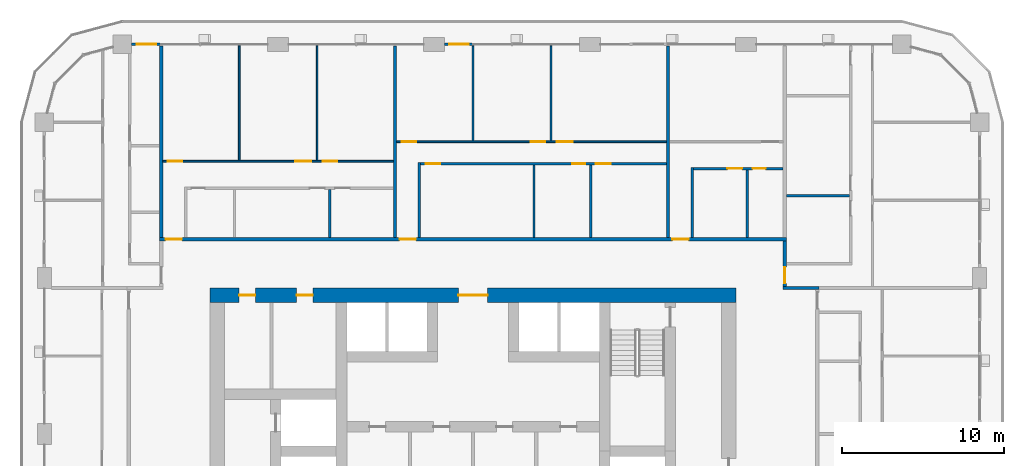
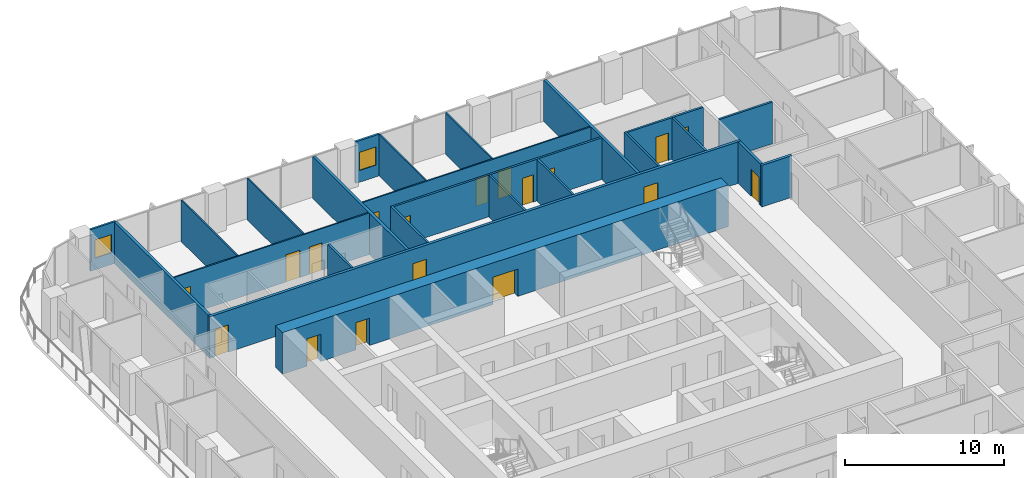
# One storey, part 14 of 21: 24 walls, 18 doors, 2 windows, 20 openings.
"""IFC4 building model written with IfcOpenShell, lengths in metres."""

from ifc_helpers import new_model, si_unit, direction, frame, frame_2d, origin, place, context, subcontext, project, spatial, rectangle, extrude, material, layer, layer_set, type_object, element, fill, save


model = new_model("IFC4")

# Units and contexts
model_context = context("Model", 3, precision=1e-05, world=origin(), true_north=direction((0.0, 1.0)))
body_context = subcontext(model_context, "Body", "Model", "MODEL_VIEW")
ifc_project = project(units=[si_unit("LENGTHUNIT", "METRE"), si_unit("AREAUNIT", "SQUARE_METRE"), si_unit("VOLUMEUNIT", "CUBIC_METRE"), si_unit("PLANEANGLEUNIT", "RADIAN"), si_unit("MASSUNIT", "GRAM", prefix="KILO")], contexts=[model_context])

# Site, building, storey
site_placement = place(None, origin())
site = spatial("IfcSite", under=ifc_project, at=site_placement, CompositionType="ELEMENT")
building_placement = place(site_placement, origin())
building = spatial("IfcBuilding", under=site, at=building_placement, Name="Madar Terraces", CompositionType="ELEMENT")
storey_placement = place(building_placement, frame((0.0, 0.0, 92.699951171875)))
storey = spatial("IfcBuildingStorey", under=building, at=storey_placement, Name="L23", CompositionType="ELEMENT", Elevation=92.699951171875)

# Wall, openings, doors
ifc_material_1 = material(Name="Concrete C80/95", Category="concrete")
ifc_layer_1 = layer(ifc_material_1, 0.89990234375)
ifc_layer_set_1 = layer_set([ifc_layer_1], Name="Concrete C80/95 (CRW2 RC wall 900)")
wall_type_1 = type_object("IfcWallType", Name="CRW2 RC wall 900", PredefinedType="SHEAR", material=ifc_layer_set_1)
wall_1_placement = place(storey_placement, frame((15.0, 37.35009765625, 0.0), z_axis=(0.0, 0.0, 1.0), x_axis=(1.0, 0.0, 0.0)))
wall_1 = element("IfcWall", 1, at=wall_1_placement, inside=storey, type_object=wall_type_1, Name="CORE OUTER WALL", PredefinedType="SHEAR", context=body_context, shape_type="SweptSolid", body=[
    extrude(rectangle(XDim=32.39990234375, YDim=0.89990234375, at=frame_2d((16.199951171875, 0.0))), origin(), (0.0, 0.0, 1.0), 3.199951171875),
])
opening_1_placement = place(wall_1_placement, frame((15.300048828125, 0.0, 0.0)))
opening_1 = element("IfcOpeningElement", 2, at=opening_1_placement, cuts=wall_1, Name="Opening KD1", PredefinedType="OPENING", context=body_context, shape_type="SweptSolid", body=[
    extrude(rectangle(XDim=1.800048828125, YDim=2.10009765625, at=frame_2d((0.89990234375, 1.050048828125))), frame((0.0, 0.4599609375, 0.0), z_axis=(0.0, -1.0, 0.0), x_axis=(1.0, 0.0, 0.0)), (0.0, 0.0, 1.0), 0.919921875),
])
opening_2_placement = place(wall_1_placement, frame((1.793701171875, 0.0, 0.0)))
opening_2 = element("IfcOpeningElement", 3, at=opening_2_placement, cuts=wall_1, Name="Opening KD2", PredefinedType="OPENING", context=body_context, shape_type="SweptSolid", body=[
    extrude(rectangle(XDim=1.0, YDim=2.10009765625, at=frame_2d((0.5, 1.050048828125))), frame((0.0, 0.4599609375, 0.0), z_axis=(0.0, -1.0, 0.0), x_axis=(1.0, 0.0, 0.0)), (0.0, 0.0, 1.0), 0.919921875),
])
opening_3_placement = place(wall_1_placement, frame((5.331298828125, 0.0, 0.0)))
opening_3 = element("IfcOpeningElement", 4, at=opening_3_placement, cuts=wall_1, Name="Opening KD2", PredefinedType="OPENING", context=body_context, shape_type="SweptSolid", body=[
    extrude(rectangle(XDim=1.0, YDim=2.10009765625, at=frame_2d((0.5, 1.050048828125))), frame((0.0, 0.4599609375, 0.0), z_axis=(0.0, -1.0, 0.0), x_axis=(1.0, 0.0, 0.0)), (0.0, 0.0, 1.0), 0.919921875),
])
ifc_material_2 = material(Name="Steel door leaf", Category="steel")
door_type_1 = type_object("IfcDoorType", Name="Lobby door pair 1800 x 2100", OperationType="DOUBLE_DOOR_SINGLE_SWING", PredefinedType="DOOR", material=ifc_material_2)
door_1_placement = place(opening_1_placement, origin())
door_1 = element("IfcDoor", 5, at=door_1_placement, inside=storey, type_object=door_type_1, Name="LIFT LOBBY DOOR", OperationType="DOUBLE_DOOR_SINGLE_SWING", OverallHeight=2.10009765625, OverallWidth=1.800048828125, PredefinedType="DOOR", context=body_context, shape_type="SweptSolid", body=[
    extrude(rectangle(XDim=1.800048828125, YDim=2.10009765625, at=frame_2d((0.89990234375, 1.050048828125))), frame((0.0, 0.02490234375, 0.0), z_axis=(0.0, -1.0, 0.0), x_axis=(1.0, 0.0, 0.0)), (0.0, 0.0, 1.0), 0.050048828125),
])
fill(opening_1, door_1)
ifc_material_3 = material(Name="Steel door leaf", Category="steel")
door_type_2 = type_object("IfcDoorType", Name="Service room door 1000 x 2100", OperationType="NOTDEFINED", PredefinedType="DOOR", material=ifc_material_3)
door_2_placement = place(opening_2_placement, origin())
door_2 = element("IfcDoor", 6, at=door_2_placement, inside=storey, type_object=door_type_2, Name="SERVICE ROOM DOOR", OperationType="SINGLE_SWING_RIGHT", OverallHeight=2.10009765625, OverallWidth=1.0, PredefinedType="DOOR", context=body_context, shape_type="SweptSolid", body=[
    extrude(rectangle(XDim=1.0, YDim=2.10009765625, at=frame_2d((0.5, 1.050048828125))), frame((0.0, 0.02490234375, 0.0), z_axis=(0.0, -1.0, 0.0), x_axis=(1.0, 0.0, 0.0)), (0.0, 0.0, 1.0), 0.050048828125),
])
fill(opening_2, door_2)
door_3_placement = place(opening_3_placement, origin())
door_3 = element("IfcDoor", 7, at=door_3_placement, inside=storey, type_object=door_type_2, Name="SERVICE ROOM DOOR", OperationType="SINGLE_SWING_LEFT", OverallHeight=2.10009765625, OverallWidth=1.0, PredefinedType="DOOR", context=body_context, shape_type="SweptSolid", body=[
    extrude(rectangle(XDim=1.0, YDim=2.10009765625, at=frame_2d((0.5, 1.050048828125))), frame((0.0, 0.02490234375, 0.0), z_axis=(0.0, -1.0, 0.0), x_axis=(1.0, 0.0, 0.0)), (0.0, 0.0, 1.0), 0.050048828125),
])
fill(opening_3, door_3)

# Wall, opening, window
ifc_material_4 = material(Name="Aluminium composite panel, black, over insulated backing", Category="aluminium")
ifc_layer_2 = layer(ifc_material_4, 0.14990234375)
ifc_layer_set_2 = layer_set([ifc_layer_2], Name="Facade bay panel 150")
wall_type_2 = type_object("IfcWallType", Name="Facade bay panel 150", PredefinedType="SOLIDWALL", material=ifc_layer_set_2)
wall_2_placement = place(storey_placement, frame((31.199951171875, 52.800048828125, 0.0), z_axis=(0.0, 0.0, 1.0), x_axis=(-1.0, 0.0, 0.0)))
wall_2 = element("IfcWall", 8, at=wall_2_placement, inside=storey, type_object=wall_type_2, Name="Facade bay panel", PredefinedType="SOLIDWALL", context=body_context, shape_type="SweptSolid", body=[
    extrude(rectangle(XDim=1.75, YDim=0.14990234375, at=frame_2d((0.875, 0.0))), origin(), (0.0, 0.0, 1.0), 3.199951171875),
])
opening_4_placement = place(wall_2_placement, frame((0.27490234375, 0.0, 0.89990234375)))
opening_4 = element("IfcOpeningElement", 9, at=opening_4_placement, cuts=wall_2, Name="Opening W1", PredefinedType="OPENING", context=body_context, shape_type="SweptSolid", body=[
    extrude(rectangle(XDim=1.199951171875, YDim=1.39990234375, at=frame_2d((0.60009765625, 0.699951171875))), frame((0.0, 0.0849609375, 0.0), z_axis=(0.0, -1.0, 0.0), x_axis=(1.0, 0.0, 0.0)), (0.0, 0.0, 1.0), 0.169921875),
])
ifc_material_5 = material(Name="Glass, clear, with black aluminium frame", Category="aluminium")
window_type = type_object("IfcWindowType", Name="Vent window 1200 x 1400", PartitioningType="SINGLE_PANEL", PredefinedType="WINDOW", material=ifc_material_5)
window_1_placement = place(opening_4_placement, origin())
window_1 = element("IfcWindow", 10, at=window_1_placement, inside=storey, type_object=window_type, Name="Operable vent window", OverallHeight=1.39990234375, OverallWidth=1.199951171875, PartitioningType="SINGLE_PANEL", PredefinedType="WINDOW", context=body_context, shape_type="SweptSolid", body=[
    extrude(rectangle(XDim=1.199951171875, YDim=1.39990234375, at=frame_2d((0.60009765625, 0.699951171875))), frame((0.0, 0.030029296875, 0.0), z_axis=(0.0, -1.0, 0.0), x_axis=(1.0, 0.0, 0.0)), (0.0, 0.0, 1.0), 0.06005859375),
])
fill(opening_4, window_1)

wall_3_placement = place(storey_placement, frame((12.0, 52.800048828125, 0.0), z_axis=(0.0, 0.0, 1.0), x_axis=(-1.0, 0.0, 0.0)))
wall_3 = element("IfcWall", 11, at=wall_3_placement, inside=storey, type_object=wall_type_2, Name="Facade bay panel", PredefinedType="SOLIDWALL", context=body_context, shape_type="SweptSolid", body=[
    extrude(rectangle(XDim=1.824951171875, YDim=0.14990234375, at=frame_2d((0.91259765625, 0.0))), origin(), (0.0, 0.0, 1.0), 3.199951171875),
])
opening_5_placement = place(wall_3_placement, frame((0.3125, 0.0, 0.89990234375)))
opening_5 = element("IfcOpeningElement", 12, at=opening_5_placement, cuts=wall_3, Name="Opening W1", PredefinedType="OPENING", context=body_context, shape_type="SweptSolid", body=[
    extrude(rectangle(XDim=1.199951171875, YDim=1.39990234375, at=frame_2d((0.60009765625, 0.699951171875))), frame((0.0, 0.0849609375, 0.0), z_axis=(0.0, -1.0, 0.0), x_axis=(1.0, 0.0, 0.0)), (0.0, 0.0, 1.0), 0.169921875),
])
window_2_placement = place(opening_5_placement, origin())
window_2 = element("IfcWindow", 13, at=window_2_placement, inside=storey, type_object=window_type, Name="Operable vent window", OverallHeight=1.39990234375, OverallWidth=1.199951171875, PartitioningType="SINGLE_PANEL", PredefinedType="WINDOW", context=body_context, shape_type="SweptSolid", body=[
    extrude(rectangle(XDim=1.199951171875, YDim=1.39990234375, at=frame_2d((0.60009765625, 0.699951171875))), frame((0.0, 0.030029296875, 0.0), z_axis=(0.0, -1.0, 0.0), x_axis=(1.0, 0.0, 0.0)), (0.0, 0.0, 1.0), 0.06005859375),
])
fill(opening_5, window_2)

# Walls
ifc_material_6 = material(Name="Gypsum board on steel studs", Category="steel")
ifc_layer_3 = layer(ifc_material_6, 0.10009765625)
ifc_layer_set_3 = layer_set([ifc_layer_3], Name="Flat partition 100")
wall_type_3 = type_object("IfcWallType", Name="Flat partition 100", PredefinedType="PARTITIONING", material=ifc_layer_set_3)
for number, where, z_axis, x_axis, name in (
    (14, (31.199951171875, 46.85009765625, 0.0), (0.0, 0.0, 1.0), (0.0, 1.0, 0.0), "Flat partition 100"),
    (15, (36.0, 46.85009765625, 0.0), (0.0, 0.0, 1.0), (0.0, 1.0, 0.0), "Flat partition 100"),
):
    element("IfcWall", number, at=place(storey_placement, frame(where, z_axis=z_axis, x_axis=x_axis)), inside=storey, type_object=wall_type_3, Name=name, PredefinedType="PARTITIONING", context=body_context, shape_type="SweptSolid", body=[
        extrude(rectangle(XDim=5.849853515625, YDim=0.10009765625, at=frame_2d((2.9248046875, 0.0))), origin(), (0.0, 0.0, 1.0), 3.199951171875),
    ])

# Wall, openings, doors
wall_4_placement = place(storey_placement, frame((26.5, 46.800048828125, 0.0), z_axis=(0.0, 0.0, 1.0), x_axis=(1.0, 0.0, 0.0)))
wall_4 = element("IfcWall", 16, at=wall_4_placement, inside=storey, type_object=wall_type_3, Name="Flat partition 100", PredefinedType="PARTITIONING", context=body_context, shape_type="SweptSolid", body=[
    extrude(rectangle(XDim=16.60009765625, YDim=0.10009765625, at=frame_2d((8.300048828125, 0.0))), origin(), (0.0, 0.0, 1.0), 3.199951171875),
])
opening_6_placement = place(wall_4_placement, frame((0.300048828125, 0.0, 0.0)))
opening_6 = element("IfcOpeningElement", 17, at=opening_6_placement, cuts=wall_4, Name="Opening D2", PredefinedType="OPENING", context=body_context, shape_type="SweptSolid", body=[
    extrude(rectangle(XDim=0.89990234375, YDim=2.10009765625, at=frame_2d((0.449951171875, 1.050048828125))), frame((0.0, 0.06005859375, 0.0), z_axis=(0.0, -1.0, 0.0), x_axis=(1.0, 0.0, 0.0)), (0.0, 0.0, 1.0), 0.1201171875),
])
opening_7_placement = place(wall_4_placement, frame((8.25, 0.0, 0.0)))
opening_7 = element("IfcOpeningElement", 18, at=opening_7_placement, cuts=wall_4, Name="Opening D2", PredefinedType="OPENING", context=body_context, shape_type="SweptSolid", body=[
    extrude(rectangle(XDim=0.89990234375, YDim=2.10009765625, at=frame_2d((0.449951171875, 1.050048828125))), frame((0.0, 0.06005859375, 0.0), z_axis=(0.0, -1.0, 0.0), x_axis=(1.0, 0.0, 0.0)), (0.0, 0.0, 1.0), 0.1201171875),
])
opening_8_placement = place(wall_4_placement, frame((9.85009765625, 0.0, 0.0)))
opening_8 = element("IfcOpeningElement", 19, at=opening_8_placement, cuts=wall_4, Name="Opening D3", PredefinedType="OPENING", context=body_context, shape_type="SweptSolid", body=[
    extrude(rectangle(XDim=1.0, YDim=2.10009765625, at=frame_2d((0.5, 1.050048828125))), frame((0.0, 0.06005859375, 0.0), z_axis=(0.0, -1.0, 0.0), x_axis=(1.0, 0.0, 0.0)), (0.0, 0.0, 1.0), 0.1201171875),
])
ifc_material_7 = material(Name="Timber door leaf", Category="wood")
door_type_3 = type_object("IfcDoorType", Name="Flat living room door 1000", OperationType="NOTDEFINED", PredefinedType="DOOR", material=ifc_material_7)
door_4_placement = place(opening_8_placement, origin())
door_4 = element("IfcDoor", 20, at=door_4_placement, inside=storey, type_object=door_type_3, Name="Flat living room door 1000", OperationType="SINGLE_SWING_LEFT", OverallHeight=2.10009765625, OverallWidth=1.0, PredefinedType="DOOR", context=body_context, shape_type="SweptSolid", body=[
    extrude(rectangle(XDim=1.0, YDim=2.10009765625, at=frame_2d((0.5, 1.050048828125))), frame((0.0, 0.02490234375, 0.0), z_axis=(0.0, -1.0, 0.0), x_axis=(1.0, 0.0, 0.0)), (0.0, 0.0, 1.0), 0.050048828125),
])
fill(opening_8, door_4)
ifc_material_8 = material(Name="Timber door leaf", Category="wood")
door_type_4 = type_object("IfcDoorType", Name="Flat room door 900", OperationType="NOTDEFINED", PredefinedType="DOOR", material=ifc_material_8)
door_5_placement = place(opening_6_placement, origin())
door_5 = element("IfcDoor", 21, at=door_5_placement, inside=storey, type_object=door_type_4, Name="Flat room door 900", OperationType="SINGLE_SWING_LEFT", OverallHeight=2.10009765625, OverallWidth=0.89990234375, PredefinedType="DOOR", context=body_context, shape_type="SweptSolid", body=[
    extrude(rectangle(XDim=0.89990234375, YDim=2.10009765625, at=frame_2d((0.449951171875, 1.050048828125))), frame((0.0, 0.02490234375, 0.0), z_axis=(0.0, -1.0, 0.0), x_axis=(1.0, 0.0, 0.0)), (0.0, 0.0, 1.0), 0.050048828125),
])
fill(opening_6, door_5)
door_6_placement = place(opening_7_placement, origin())
door_6 = element("IfcDoor", 22, at=door_6_placement, inside=storey, type_object=door_type_4, Name="Flat room door 900", OperationType="SINGLE_SWING_RIGHT", OverallHeight=2.10009765625, OverallWidth=0.89990234375, PredefinedType="DOOR", context=body_context, shape_type="SweptSolid", body=[
    extrude(rectangle(XDim=0.89990234375, YDim=2.10009765625, at=frame_2d((0.449951171875, 1.050048828125))), frame((0.0, 0.02490234375, 0.0), z_axis=(0.0, -1.0, 0.0), x_axis=(1.0, 0.0, 0.0)), (0.0, 0.0, 1.0), 0.050048828125),
])
fill(opening_7, door_6)

# Walls
for number, where, z_axis, x_axis, name in (
    (23, (16.800048828125, 45.64990234375, 0.0), (0.0, 0.0, 1.0), (0.0, 1.0, 0.0), "Flat partition 100"),
    (24, (21.60009765625, 45.64990234375, 0.0), (0.0, 0.0, 1.0), (0.0, 1.0, 0.0), "Flat partition 100"),
):
    element("IfcWall", number, at=place(storey_placement, frame(where, z_axis=z_axis, x_axis=x_axis)), inside=storey, type_object=wall_type_3, Name=name, PredefinedType="PARTITIONING", context=body_context, shape_type="SweptSolid", body=[
        extrude(rectangle(XDim=7.050048828125, YDim=0.10009765625, at=frame_2d((3.52490234375, 0.0))), origin(), (0.0, 0.0, 1.0), 3.199951171875),
    ])

# Wall, openings, doors
wall_5_placement = place(storey_placement, frame((12.10009765625, 45.60009765625, 0.0), z_axis=(0.0, 0.0, 1.0), x_axis=(1.0, 0.0, 0.0)))
wall_5 = element("IfcWall", 25, at=wall_5_placement, inside=storey, type_object=wall_type_3, Name="Flat partition 100", PredefinedType="PARTITIONING", context=body_context, shape_type="SweptSolid", body=[
    extrude(rectangle(XDim=14.199951171875, YDim=0.10009765625, at=frame_2d((7.10009765625, 0.0))), origin(), (0.0, 0.0, 1.0), 3.199951171875),
])
opening_9_placement = place(wall_5_placement, frame((0.300048828125, 0.0, 0.0)))
opening_9 = element("IfcOpeningElement", 26, at=opening_9_placement, cuts=wall_5, Name="Opening D2", PredefinedType="OPENING", context=body_context, shape_type="SweptSolid", body=[
    extrude(rectangle(XDim=0.89990234375, YDim=2.10009765625, at=frame_2d((0.449951171875, 1.050048828125))), frame((0.0, 0.06005859375, 0.0), z_axis=(0.0, -1.0, 0.0), x_axis=(1.0, 0.0, 0.0)), (0.0, 0.0, 1.0), 0.1201171875),
])
opening_10_placement = place(wall_5_placement, frame((8.14990234375, 0.0, 0.0)))
opening_10 = element("IfcOpeningElement", 27, at=opening_10_placement, cuts=wall_5, Name="Opening D3", PredefinedType="OPENING", context=body_context, shape_type="SweptSolid", body=[
    extrude(rectangle(XDim=1.0, YDim=2.10009765625, at=frame_2d((0.5, 1.050048828125))), frame((0.0, 0.06005859375, 0.0), z_axis=(0.0, -1.0, 0.0), x_axis=(1.0, 0.0, 0.0)), (0.0, 0.0, 1.0), 0.1201171875),
])
opening_11_placement = place(wall_5_placement, frame((9.85009765625, 0.0, 0.0)))
opening_11 = element("IfcOpeningElement", 28, at=opening_11_placement, cuts=wall_5, Name="Opening D2", PredefinedType="OPENING", context=body_context, shape_type="SweptSolid", body=[
    extrude(rectangle(XDim=0.89990234375, YDim=2.10009765625, at=frame_2d((0.449951171875, 1.050048828125))), frame((0.0, 0.06005859375, 0.0), z_axis=(0.0, -1.0, 0.0), x_axis=(1.0, 0.0, 0.0)), (0.0, 0.0, 1.0), 0.1201171875),
])
door_7_placement = place(opening_10_placement, origin())
door_7 = element("IfcDoor", 29, at=door_7_placement, inside=storey, type_object=door_type_3, Name="Flat living room door 1000", OperationType="SINGLE_SWING_RIGHT", OverallHeight=2.10009765625, OverallWidth=1.0, PredefinedType="DOOR", context=body_context, shape_type="SweptSolid", body=[
    extrude(rectangle(XDim=1.0, YDim=2.10009765625, at=frame_2d((0.5, 1.050048828125))), frame((0.0, 0.02490234375, 0.0), z_axis=(0.0, -1.0, 0.0), x_axis=(1.0, 0.0, 0.0)), (0.0, 0.0, 1.0), 0.050048828125),
])
fill(opening_10, door_7)
door_8_placement = place(opening_9_placement, origin())
door_8 = element("IfcDoor", 30, at=door_8_placement, inside=storey, type_object=door_type_4, Name="Flat room door 900", OperationType="SINGLE_SWING_LEFT", OverallHeight=2.10009765625, OverallWidth=0.89990234375, PredefinedType="DOOR", context=body_context, shape_type="SweptSolid", body=[
    extrude(rectangle(XDim=0.89990234375, YDim=2.10009765625, at=frame_2d((0.449951171875, 1.050048828125))), frame((0.0, 0.02490234375, 0.0), z_axis=(0.0, -1.0, 0.0), x_axis=(1.0, 0.0, 0.0)), (0.0, 0.0, 1.0), 0.050048828125),
])
fill(opening_9, door_8)
door_9_placement = place(opening_11_placement, origin())
door_9 = element("IfcDoor", 31, at=door_9_placement, inside=storey, type_object=door_type_4, Name="Flat room door 900", OperationType="SINGLE_SWING_LEFT", OverallHeight=2.10009765625, OverallWidth=0.89990234375, PredefinedType="DOOR", context=body_context, shape_type="SweptSolid", body=[
    extrude(rectangle(XDim=0.89990234375, YDim=2.10009765625, at=frame_2d((0.449951171875, 1.050048828125))), frame((0.0, 0.02490234375, 0.0), z_axis=(0.0, -1.0, 0.0), x_axis=(1.0, 0.0, 0.0)), (0.0, 0.0, 1.0), 0.050048828125),
])
fill(opening_11, door_9)

# Wall
ifc_material_9 = material(Name="Lightweight blockwork", Category="masonry")
ifc_layer_4 = layer(ifc_material_9, 0.199951171875)
ifc_layer_set_4 = layer_set([ifc_layer_4], Name="Flat party and entrance wall 200")
wall_type_4 = type_object("IfcWallType", Name="Flat party and entrance wall 200", PredefinedType="PARTITIONING", material=ifc_layer_set_4)
wall_6_placement = place(storey_placement, frame((52.5, 37.800048828125, 0.0), z_axis=(0.0, 0.0, 1.0), x_axis=(-1.0, 0.0, 0.0)))
element("IfcWall", 32, at=wall_6_placement, inside=storey, type_object=wall_type_4, Name="Flat party and entrance wall 200", PredefinedType="PARTITIONING", context=body_context, shape_type="SweptSolid", body=[
    extrude(rectangle(XDim=2.199951171875, YDim=0.199951171875, at=frame_2d((1.10009765625, 0.0))), origin(), (0.0, 0.0, 1.0), 3.199951171875),
])

# Wall, opening, door
wall_7_placement = place(storey_placement, frame((50.39990234375, 40.699951171875, 0.0), z_axis=(0.0, 0.0, 1.0), x_axis=(0.0, -1.0, 0.0)))
wall_7 = element("IfcWall", 33, at=wall_7_placement, inside=storey, type_object=wall_type_4, Name="Flat party and entrance wall 200", PredefinedType="PARTITIONING", context=body_context, shape_type="SweptSolid", body=[
    extrude(rectangle(XDim=2.800048828125, YDim=0.199951171875, at=frame_2d((1.39990234375, 0.0))), origin(), (0.0, 0.0, 1.0), 3.199951171875),
])
opening_12_placement = place(wall_7_placement, frame((1.625, 0.0, 0.0)))
opening_12 = element("IfcOpeningElement", 34, at=opening_12_placement, cuts=wall_7, Name="Opening D1", PredefinedType="OPENING", context=body_context, shape_type="SweptSolid", body=[
    extrude(rectangle(XDim=1.0, YDim=2.10009765625, at=frame_2d((0.5, 1.050048828125))), frame((0.0, 0.10986328125, 0.0), z_axis=(0.0, -1.0, 0.0), x_axis=(1.0, 0.0, 0.0)), (0.0, 0.0, 1.0), 0.219970703125),
])
ifc_material_10 = material(Name="Timber fire door leaf", Category="wood")
door_type_5 = type_object("IfcDoorType", Name="Flat entrance door 1000 FD30S", OperationType="NOTDEFINED", PredefinedType="DOOR", material=ifc_material_10)
door_10_placement = place(opening_12_placement, origin())
door_10 = element("IfcDoor", 35, at=door_10_placement, inside=storey, type_object=door_type_5, Name="Flat entrance door 1000 FD30S", OperationType="SINGLE_SWING_RIGHT", OverallHeight=2.10009765625, OverallWidth=1.0, PredefinedType="DOOR", context=body_context, shape_type="SweptSolid", body=[
    extrude(rectangle(XDim=1.0, YDim=2.10009765625, at=frame_2d((0.5, 1.050048828125))), frame((0.0, 0.02490234375, 0.0), z_axis=(0.0, -1.0, 0.0), x_axis=(1.0, 0.0, 0.0)), (0.0, 0.0, 1.0), 0.050048828125),
])
fill(opening_12, door_10)

# Wall, openings, doors
wall_8_placement = place(storey_placement, frame((11.89990234375, 40.800048828125, 0.0), z_axis=(0.0, 0.0, 1.0), x_axis=(1.0, 0.0, 0.0)))
wall_8 = element("IfcWall", 36, at=wall_8_placement, inside=storey, type_object=wall_type_4, Name="Flat party and entrance wall 200", PredefinedType="PARTITIONING", context=body_context, shape_type="SweptSolid", body=[
    extrude(rectangle(XDim=38.60009765625, YDim=0.199951171875, at=frame_2d((19.300048828125, 0.0))), origin(), (0.0, 0.0, 1.0), 3.199951171875),
])
opening_13_placement = place(wall_8_placement, frame((31.574951171875, 0.0, 0.0)))
opening_13 = element("IfcOpeningElement", 37, at=opening_13_placement, cuts=wall_8, Name="Opening D1", PredefinedType="OPENING", context=body_context, shape_type="SweptSolid", body=[
    extrude(rectangle(XDim=1.0, YDim=2.10009765625, at=frame_2d((0.5, 1.050048828125))), frame((0.0, 0.10986328125, 0.0), z_axis=(0.0, -1.0, 0.0), x_axis=(1.0, 0.0, 0.0)), (0.0, 0.0, 1.0), 0.219970703125),
])
opening_14_placement = place(wall_8_placement, frame((14.77490234375, 0.0, 0.0)))
opening_14 = element("IfcOpeningElement", 38, at=opening_14_placement, cuts=wall_8, Name="Opening D1", PredefinedType="OPENING", context=body_context, shape_type="SweptSolid", body=[
    extrude(rectangle(XDim=1.0, YDim=2.10009765625, at=frame_2d((0.5, 1.050048828125))), frame((0.0, 0.10986328125, 0.0), z_axis=(0.0, -1.0, 0.0), x_axis=(1.0, 0.0, 0.0)), (0.0, 0.0, 1.0), 0.219970703125),
])
opening_15_placement = place(wall_8_placement, frame((0.375, 0.0, 0.0)))
opening_15 = element("IfcOpeningElement", 39, at=opening_15_placement, cuts=wall_8, Name="Opening D1", PredefinedType="OPENING", context=body_context, shape_type="SweptSolid", body=[
    extrude(rectangle(XDim=1.0, YDim=2.10009765625, at=frame_2d((0.5, 1.050048828125))), frame((0.0, 0.10986328125, 0.0), z_axis=(0.0, -1.0, 0.0), x_axis=(1.0, 0.0, 0.0)), (0.0, 0.0, 1.0), 0.219970703125),
])
door_11_placement = place(opening_13_placement, origin())
door_11 = element("IfcDoor", 40, at=door_11_placement, inside=storey, type_object=door_type_5, Name="Flat entrance door 1000 FD30S", OperationType="SINGLE_SWING_LEFT", OverallHeight=2.10009765625, OverallWidth=1.0, PredefinedType="DOOR", context=body_context, shape_type="SweptSolid", body=[
    extrude(rectangle(XDim=1.0, YDim=2.10009765625, at=frame_2d((0.5, 1.050048828125))), frame((0.0, 0.02490234375, 0.0), z_axis=(0.0, -1.0, 0.0), x_axis=(1.0, 0.0, 0.0)), (0.0, 0.0, 1.0), 0.050048828125),
])
fill(opening_13, door_11)
door_12_placement = place(opening_14_placement, origin())
door_12 = element("IfcDoor", 41, at=door_12_placement, inside=storey, type_object=door_type_5, Name="Flat entrance door 1000 FD30S", OperationType="SINGLE_SWING_LEFT", OverallHeight=2.10009765625, OverallWidth=1.0, PredefinedType="DOOR", context=body_context, shape_type="SweptSolid", body=[
    extrude(rectangle(XDim=1.0, YDim=2.10009765625, at=frame_2d((0.5, 1.050048828125))), frame((0.0, 0.02490234375, 0.0), z_axis=(0.0, -1.0, 0.0), x_axis=(1.0, 0.0, 0.0)), (0.0, 0.0, 1.0), 0.050048828125),
])
fill(opening_14, door_12)
door_13_placement = place(opening_15_placement, origin())
door_13 = element("IfcDoor", 42, at=door_13_placement, inside=storey, type_object=door_type_5, Name="Flat entrance door 1000 FD30S", OperationType="SINGLE_SWING_LEFT", OverallHeight=2.10009765625, OverallWidth=1.0, PredefinedType="DOOR", context=body_context, shape_type="SweptSolid", body=[
    extrude(rectangle(XDim=1.0, YDim=2.10009765625, at=frame_2d((0.5, 1.050048828125))), frame((0.0, 0.02490234375, 0.0), z_axis=(0.0, -1.0, 0.0), x_axis=(1.0, 0.0, 0.0)), (0.0, 0.0, 1.0), 0.050048828125),
])
fill(opening_15, door_13)

# Walls
for number, where, z_axis, x_axis, name in (
    (43, (43.199951171875, 52.699951171875, 0.0), (0.0, 0.0, 1.0), (0.0, -1.0, 0.0), "Flat party and entrance wall 200"),
    (44, (26.39990234375, 52.699951171875, 0.0), (0.0, 0.0, 1.0), (0.0, -1.0, 0.0), "Flat party and entrance wall 200"),
    (45, (12.0, 52.699951171875, 0.0), (0.0, 0.0, 1.0), (0.0, -1.0, 0.0), "Flat party and entrance wall 200"),
):
    element("IfcWall", number, at=place(storey_placement, frame(where, z_axis=z_axis, x_axis=x_axis)), inside=storey, type_object=wall_type_4, Name=name, PredefinedType="PARTITIONING", context=body_context, shape_type="SweptSolid", body=[
        extrude(rectangle(XDim=11.800048828125, YDim=0.199951171875, at=frame_2d((5.89990234375, 0.0))), origin(), (0.0, 0.0, 1.0), 3.199951171875),
    ])
ifc_material_11 = material(Name="Lightweight blockwork", Category="masonry")
ifc_layer_5 = layer(ifc_material_11, 0.14990234375)
ifc_layer_set_5 = layer_set([ifc_layer_5], Name="Flat wet-room partition 150")
wall_type_5 = type_object("IfcWallType", Name="Flat wet-room partition 150", PredefinedType="PARTITIONING", material=ifc_layer_set_5)
wall_9_placement = place(storey_placement, frame((50.5, 43.47509765625, 0.0), z_axis=(0.0, 0.0, 1.0), x_axis=(1.0, 0.0, 0.0)))
element("IfcWall", 46, at=wall_9_placement, inside=storey, type_object=wall_type_5, Name="Flat wet-room partition 150", PredefinedType="PARTITIONING", context=body_context, shape_type="SweptSolid", body=[
    extrude(rectangle(XDim=3.875, YDim=0.14990234375, at=frame_2d((1.9375, 0.0))), origin(), (0.0, 0.0, 1.0), 3.199951171875),
])
wall_10_placement = place(storey_placement, frame((48.090087890625, 40.89990234375, 0.0), z_axis=(0.0, 0.0, 1.0), x_axis=(0.0, 1.0, 0.0)))
element("IfcWall", 47, at=wall_10_placement, inside=storey, type_object=wall_type_5, Name="Flat wet-room partition 150", PredefinedType="PARTITIONING", context=body_context, shape_type="SweptSolid", body=[
    extrude(rectangle(XDim=4.175048828125, YDim=0.14990234375, at=frame_2d((2.08740234375, 0.0))), origin(), (0.0, 0.0, 1.0), 3.199951171875),
])
wall_11_placement = place(storey_placement, frame((44.699951171875, 40.89990234375, 0.0), z_axis=(0.0, 0.0, 1.0), x_axis=(0.0, 1.0, 0.0)))
element("IfcWall", 48, at=wall_11_placement, inside=storey, type_object=wall_type_5, Name="Flat wet-room partition 150", PredefinedType="PARTITIONING", context=body_context, shape_type="SweptSolid", body=[
    extrude(rectangle(XDim=4.3251953125, YDim=0.14990234375, at=frame_2d((2.16259765625, 0.0))), origin(), (0.0, 0.0, 1.0), 3.199951171875),
])

# Wall, openings, doors
wall_12_placement = place(storey_placement, frame((50.300048828125, 45.14990234375, 0.0), z_axis=(0.0, 0.0, 1.0), x_axis=(-1.0, 0.0, 0.0)))
wall_12 = element("IfcWall", 49, at=wall_12_placement, inside=storey, type_object=wall_type_5, Name="Flat wet-room partition 150", PredefinedType="PARTITIONING", context=body_context, shape_type="SweptSolid", body=[
    extrude(rectangle(XDim=5.525146484375, YDim=0.14990234375, at=frame_2d((2.7626953125, 0.0))), origin(), (0.0, 0.0, 1.0), 3.199951171875),
])
opening_16_placement = place(wall_12_placement, frame((2.534912109375, 0.0, 0.0)))
opening_16 = element("IfcOpeningElement", 50, at=opening_16_placement, cuts=wall_12, Name="Opening D2", PredefinedType="OPENING", context=body_context, shape_type="SweptSolid", body=[
    extrude(rectangle(XDim=0.89990234375, YDim=2.10009765625, at=frame_2d((0.449951171875, 1.050048828125))), frame((0.0, 0.0849609375, 0.0), z_axis=(0.0, -1.0, 0.0), x_axis=(1.0, 0.0, 0.0)), (0.0, 0.0, 1.0), 0.169921875),
])
opening_17_placement = place(wall_12_placement, frame((1.0849609375, 0.0, 0.0)))
opening_17 = element("IfcOpeningElement", 51, at=opening_17_placement, cuts=wall_12, Name="Opening D4", PredefinedType="OPENING", context=body_context, shape_type="SweptSolid", body=[
    extrude(rectangle(XDim=0.800048828125, YDim=2.10009765625, at=frame_2d((0.39990234375, 1.050048828125))), frame((0.0, 0.0849609375, 0.0), z_axis=(0.0, -1.0, 0.0), x_axis=(1.0, 0.0, 0.0)), (0.0, 0.0, 1.0), 0.169921875),
])
ifc_material_12 = material(Name="Timber door leaf", Category="wood")
door_type_6 = type_object("IfcDoorType", Name="Flat bathroom door 800", OperationType="NOTDEFINED", PredefinedType="DOOR", material=ifc_material_12)
door_14_placement = place(opening_17_placement, origin())
door_14 = element("IfcDoor", 52, at=door_14_placement, inside=storey, type_object=door_type_6, Name="Flat bathroom door 800", OperationType="SINGLE_SWING_RIGHT", OverallHeight=2.10009765625, OverallWidth=0.800048828125, PredefinedType="DOOR", context=body_context, shape_type="SweptSolid", body=[
    extrude(rectangle(XDim=0.800048828125, YDim=2.10009765625, at=frame_2d((0.39990234375, 1.050048828125))), frame((0.0, 0.02490234375, 0.0), z_axis=(0.0, -1.0, 0.0), x_axis=(1.0, 0.0, 0.0)), (0.0, 0.0, 1.0), 0.050048828125),
])
fill(opening_17, door_14)
door_15_placement = place(opening_16_placement, origin())
door_15 = element("IfcDoor", 53, at=door_15_placement, inside=storey, type_object=door_type_4, Name="Flat room door 900", OperationType="SINGLE_SWING_LEFT", OverallHeight=2.10009765625, OverallWidth=0.89990234375, PredefinedType="DOOR", context=body_context, shape_type="SweptSolid", body=[
    extrude(rectangle(XDim=0.89990234375, YDim=2.10009765625, at=frame_2d((0.449951171875, 1.050048828125))), frame((0.0, 0.02490234375, 0.0), z_axis=(0.0, -1.0, 0.0), x_axis=(1.0, 0.0, 0.0)), (0.0, 0.0, 1.0), 0.050048828125),
])
fill(opening_16, door_15)

# Walls
for number, where, z_axis, x_axis, name in (
    (54, (34.955810546875, 40.89990234375, 0.0), (0.0, 0.0, 1.0), (0.0, 1.0, 0.0), "Flat wet-room partition 150"),
    (55, (38.4462890625, 40.89990234375, 0.0), (0.0, 0.0, 1.0), (0.0, 1.0, 0.0), "Flat wet-room partition 150"),
):
    element("IfcWall", number, at=place(storey_placement, frame(where, z_axis=z_axis, x_axis=x_axis)), inside=storey, type_object=wall_type_5, Name=name, PredefinedType="PARTITIONING", context=body_context, shape_type="SweptSolid", body=[
        extrude(rectangle(XDim=4.47509765625, YDim=0.14990234375, at=frame_2d((2.237548828125, 0.0))), origin(), (0.0, 0.0, 1.0), 3.199951171875),
    ])
wall_13_placement = place(storey_placement, frame((27.89990234375, 40.89990234375, 0.0), z_axis=(0.0, 0.0, 1.0), x_axis=(0.0, 1.0, 0.0)))
element("IfcWall", 56, at=wall_13_placement, inside=storey, type_object=wall_type_5, Name="Flat wet-room partition 150", PredefinedType="PARTITIONING", context=body_context, shape_type="SweptSolid", body=[
    extrude(rectangle(XDim=4.625, YDim=0.14990234375, at=frame_2d((2.3125, 0.0))), origin(), (0.0, 0.0, 1.0), 3.199951171875),
])

# Wall, openings, doors
wall_14_placement = place(storey_placement, frame((43.10009765625, 45.449951171875, 0.0), z_axis=(0.0, 0.0, 1.0), x_axis=(-1.0, 0.0, 0.0)))
wall_14 = element("IfcWall", 57, at=wall_14_placement, inside=storey, type_object=wall_type_5, Name="Flat wet-room partition 150", PredefinedType="PARTITIONING", context=body_context, shape_type="SweptSolid", body=[
    extrude(rectangle(XDim=15.125, YDim=0.14990234375, at=frame_2d((7.5625, 0.0))), origin(), (0.0, 0.0, 1.0), 3.199951171875),
])
opening_18_placement = place(wall_14_placement, frame((13.925048828125, 0.0, 0.0)))
opening_18 = element("IfcOpeningElement", 58, at=opening_18_placement, cuts=wall_14, Name="Opening D2", PredefinedType="OPENING", context=body_context, shape_type="SweptSolid", body=[
    extrude(rectangle(XDim=0.89990234375, YDim=2.10009765625, at=frame_2d((0.449951171875, 1.050048828125))), frame((0.0, 0.0849609375, 0.0), z_axis=(0.0, -1.0, 0.0), x_axis=(1.0, 0.0, 0.0)), (0.0, 0.0, 1.0), 0.169921875),
])
opening_19_placement = place(wall_14_placement, frame((4.978759765625, 0.0, 0.0)))
opening_19 = element("IfcOpeningElement", 59, at=opening_19_placement, cuts=wall_14, Name="Opening D4", PredefinedType="OPENING", context=body_context, shape_type="SweptSolid", body=[
    extrude(rectangle(XDim=0.800048828125, YDim=2.10009765625, at=frame_2d((0.39990234375, 1.050048828125))), frame((0.0, 0.0849609375, 0.0), z_axis=(0.0, -1.0, 0.0), x_axis=(1.0, 0.0, 0.0)), (0.0, 0.0, 1.0), 0.169921875),
])
opening_20_placement = place(wall_14_placement, frame((3.4287109375, 0.0, 0.0)))
opening_20 = element("IfcOpeningElement", 60, at=opening_20_placement, cuts=wall_14, Name="Opening D5", PredefinedType="OPENING", context=body_context, shape_type="SweptSolid", body=[
    extrude(rectangle(XDim=0.89990234375, YDim=2.10009765625, at=frame_2d((0.449951171875, 1.050048828125))), frame((0.0, 0.0849609375, 0.0), z_axis=(0.0, -1.0, 0.0), x_axis=(1.0, 0.0, 0.0)), (0.0, 0.0, 1.0), 0.169921875),
])
ifc_material_13 = material(Name="Timber door leaf", Category="wood")
door_type_7 = type_object("IfcDoorType", Name="Flat accessible bathroom door 900", OperationType="NOTDEFINED", PredefinedType="DOOR", material=ifc_material_13)
door_16_placement = place(opening_20_placement, origin())
door_16 = element("IfcDoor", 61, at=door_16_placement, inside=storey, type_object=door_type_7, Name="Flat accessible bathroom door 900", OperationType="SINGLE_SWING_RIGHT", OverallHeight=2.10009765625, OverallWidth=0.89990234375, PredefinedType="DOOR", context=body_context, shape_type="SweptSolid", body=[
    extrude(rectangle(XDim=0.89990234375, YDim=2.10009765625, at=frame_2d((0.449951171875, 1.050048828125))), frame((0.0, 0.02490234375, 0.0), z_axis=(0.0, -1.0, 0.0), x_axis=(1.0, 0.0, 0.0)), (0.0, 0.0, 1.0), 0.050048828125),
])
fill(opening_20, door_16)
door_17_placement = place(opening_19_placement, origin())
door_17 = element("IfcDoor", 62, at=door_17_placement, inside=storey, type_object=door_type_6, Name="Flat bathroom door 800", OperationType="SINGLE_SWING_LEFT", OverallHeight=2.10009765625, OverallWidth=0.800048828125, PredefinedType="DOOR", context=body_context, shape_type="SweptSolid", body=[
    extrude(rectangle(XDim=0.800048828125, YDim=2.10009765625, at=frame_2d((0.39990234375, 1.050048828125))), frame((0.0, 0.02490234375, 0.0), z_axis=(0.0, -1.0, 0.0), x_axis=(1.0, 0.0, 0.0)), (0.0, 0.0, 1.0), 0.050048828125),
])
fill(opening_19, door_17)
door_18_placement = place(opening_18_placement, origin())
door_18 = element("IfcDoor", 63, at=door_18_placement, inside=storey, type_object=door_type_4, Name="Flat room door 900", OperationType="SINGLE_SWING_RIGHT", OverallHeight=2.10009765625, OverallWidth=0.89990234375, PredefinedType="DOOR", context=body_context, shape_type="SweptSolid", body=[
    extrude(rectangle(XDim=0.89990234375, YDim=2.10009765625, at=frame_2d((0.449951171875, 1.050048828125))), frame((0.0, 0.02490234375, 0.0), z_axis=(0.0, -1.0, 0.0), x_axis=(1.0, 0.0, 0.0)), (0.0, 0.0, 1.0), 0.050048828125),
])
fill(opening_18, door_18)

# Wall
wall_15_placement = place(storey_placement, frame((22.384521484375, 40.89990234375, 0.0), z_axis=(0.0, 0.0, 1.0), x_axis=(0.0, 1.0, 0.0)))
element("IfcWall", 64, at=wall_15_placement, inside=storey, type_object=wall_type_5, Name="Flat wet-room partition 150", PredefinedType="PARTITIONING", context=body_context, shape_type="SweptSolid", body=[
    extrude(rectangle(XDim=2.97509765625, YDim=0.14990234375, at=frame_2d((1.487548828125, 0.0))), origin(), (0.0, 0.0, 1.0), 3.199951171875),
])

save(model, "model.ifc")
